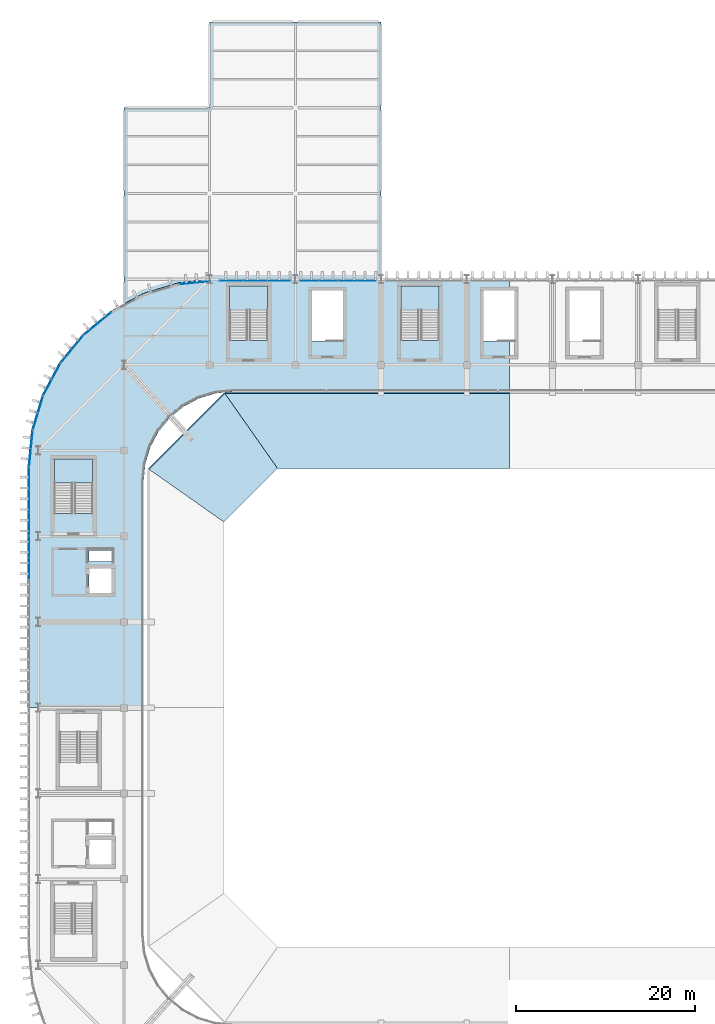
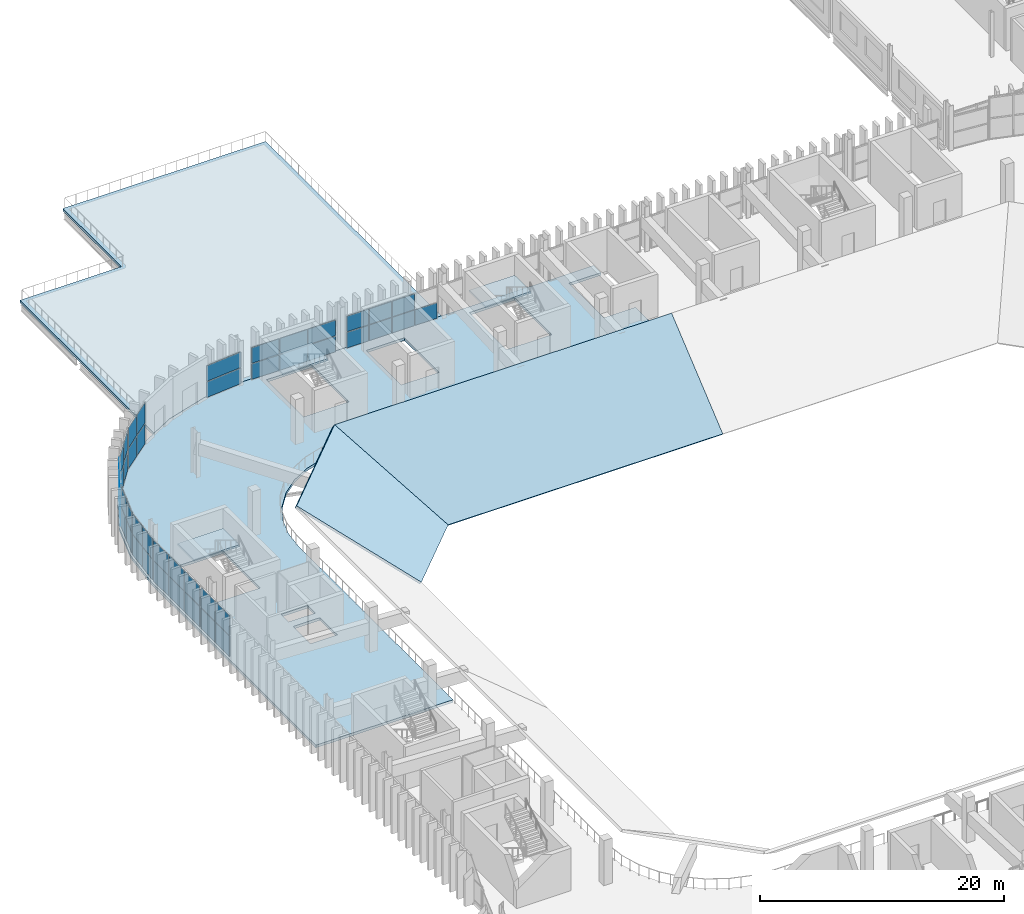
# One storey, part 38 of 69: 45 plates, 7 slabs, 13 elements without a shape of their own.
"""IFC4 building model written with IfcOpenShell, lengths in metres."""

from ifc_helpers import new_model, si_unit, direction, frame, origin, origin_2d, place, context, subcontext, project, spatial, polyline, rectangle, outline, extrude, material, layer, layer_set, type_object, element, aggregate, save


model = new_model("IFC4")

# Units and contexts
model_context = context("Model", 3, precision=1e-05, world=origin(), true_north=direction((0.0, 1.0)))
body_context = subcontext(model_context, "Body", "Model", "MODEL_VIEW")
ifc_project = project(units=[si_unit("LENGTHUNIT", "METRE"), si_unit("AREAUNIT", "SQUARE_METRE"), si_unit("VOLUMEUNIT", "CUBIC_METRE"), si_unit("PLANEANGLEUNIT", "RADIAN"), si_unit("MASSUNIT", "GRAM", prefix="KILO")], contexts=[model_context])

# Site, building, storey
site_placement = place(None, origin())
site = spatial("IfcSite", under=ifc_project, at=site_placement, CompositionType="ELEMENT")
building_placement = place(site_placement, origin())
building = spatial("IfcBuilding", under=site, at=building_placement, Name="Caelomonte Colonnade Arena", CompositionType="ELEMENT")
storey_placement = place(building_placement, frame((0.0, 0.0, 18.60009765625)))
storey = spatial("IfcBuildingStorey", under=building, at=storey_placement, Name="L04", CompositionType="ELEMENT", Elevation=18.60009765625)

# Curtain wall, plates
ifc_material_1 = material(Name="Bronze anodised aluminium and low-E glazing", Category="aluminium")
ifc_layer_1 = layer(ifc_material_1, 0.179931640625)
ifc_layer_set_1 = layer_set([ifc_layer_1], Name="Bronze anodised aluminium and low-E glazing")
curtain_wall_type_1 = type_object("IfcCurtainWallType", Name="ENV-CW-CW-L04-96-33", PredefinedType="USERDEFINED", material=ifc_layer_set_1)
curtain_wall_1_placement = place(storey_placement, origin())
curtain_wall_1 = element("IfcCurtainWall", 1, at=curtain_wall_1_placement, inside=storey, type_object=curtain_wall_type_1, Name="L04 unitized curtain wall CW-L04-0912-1150", ObjectType="UNITIZED CURTAIN WALL", PredefinedType="USERDEFINED")
ifc_material_2 = material(Name="Solar-control bronze low-E double glazing", Category="glass")
ifc_layer_2 = layer(ifc_material_2, 0.035888671875)
ifc_layer_set_2 = layer_set([ifc_layer_2], Name="Solar-control bronze low-E double glazing")
plate_type = type_object("IfcPlateType", Name="ENV-CW-PAN36", PredefinedType="CURTAIN_PANEL", material=ifc_layer_set_2)
plate_1_placement = place(storey_placement, frame((94.419921875, 115.02001953125, 0.06982421875), z_axis=(0.0, 0.0, 1.0), x_axis=(-1.0, 0.0, 0.0)))
plate_1 = element("IfcPlate", 2, at=plate_1_placement, type_object=plate_type, Name="CW-L04-96-33 panel 1.1", PredefinedType="CURTAIN_PANEL", context=body_context, shape_type="SweptSolid", body=[
    extrude(rectangle(XDim=2.05322265625, YDim=0.035888671875, at=origin_2d()), origin(), (0.0, 0.0, 1.0), 1.551513671875),
])
plate_2_placement = place(storey_placement, frame((92.279052734375, 115.02001953125, 0.06982421875), z_axis=(0.0, 0.0, 1.0), x_axis=(-1.0, 0.0, 0.0)))
plate_2 = element("IfcPlate", 3, at=plate_2_placement, type_object=plate_type, Name="CW-L04-96-33 panel 2.1", PredefinedType="CURTAIN_PANEL", context=body_context, shape_type="SweptSolid", body=[
    extrude(rectangle(XDim=2.088134765625, YDim=0.035888671875, at=origin_2d()), origin(), (0.0, 0.0, 1.0), 1.551513671875),
])
plate_3_placement = place(storey_placement, frame((92.279052734375, 115.02001953125, 1.69140625), z_axis=(0.0, 0.0, 1.0), x_axis=(-1.0, 0.0, 0.0)))
plate_3 = element("IfcPlate", 4, at=plate_3_placement, type_object=plate_type, Name="CW-L04-96-33 panel 2.2", PredefinedType="CURTAIN_PANEL", context=body_context, shape_type="SweptSolid", body=[
    extrude(rectangle(XDim=2.088134765625, YDim=0.035888671875, at=origin_2d()), origin(), (0.0, 0.0, 1.0), 1.551513671875),
])
plate_4_placement = place(storey_placement, frame((90.120849609375, 115.02001953125, 0.06982421875), z_axis=(0.0, 0.0, 1.0), x_axis=(-1.0, 0.0, 0.0)))
plate_4 = element("IfcPlate", 5, at=plate_4_placement, type_object=plate_type, Name="CW-L04-96-33 panel 3.1", PredefinedType="CURTAIN_PANEL", context=body_context, shape_type="SweptSolid", body=[
    extrude(rectangle(XDim=2.088134765625, YDim=0.035888671875, at=origin_2d()), origin(), (0.0, 0.0, 1.0), 1.551513671875),
])
plate_5_placement = place(storey_placement, frame((90.120849609375, 115.02001953125, 1.69140625), z_axis=(0.0, 0.0, 1.0), x_axis=(-1.0, 0.0, 0.0)))
plate_5 = element("IfcPlate", 6, at=plate_5_placement, type_object=plate_type, Name="CW-L04-96-33 panel 3.2", PredefinedType="CURTAIN_PANEL", context=body_context, shape_type="SweptSolid", body=[
    extrude(rectangle(XDim=2.088134765625, YDim=0.035888671875, at=origin_2d()), origin(), (0.0, 0.0, 1.0), 1.551513671875),
])
plate_6_placement = place(storey_placement, frame((87.980224609375, 115.02001953125, 0.06982421875), z_axis=(0.0, 0.0, 1.0), x_axis=(-1.0, 0.0, 0.0)))
plate_6 = element("IfcPlate", 7, at=plate_6_placement, type_object=plate_type, Name="CW-L04-96-33 panel 4.1", PredefinedType="CURTAIN_PANEL", context=body_context, shape_type="SweptSolid", body=[
    extrude(rectangle(XDim=2.05322265625, YDim=0.035888671875, at=origin_2d()), origin(), (0.0, 0.0, 1.0), 1.551513671875),
])
plate_7_placement = place(storey_placement, frame((87.980224609375, 115.02001953125, 1.69140625), z_axis=(0.0, 0.0, 1.0), x_axis=(-1.0, 0.0, 0.0)))
plate_7 = element("IfcPlate", 8, at=plate_7_placement, type_object=plate_type, Name="CW-L04-96-33 panel 4.2", PredefinedType="CURTAIN_PANEL", context=body_context, shape_type="SweptSolid", body=[
    extrude(rectangle(XDim=2.05322265625, YDim=0.035888671875, at=origin_2d()), origin(), (0.0, 0.0, 1.0), 1.551513671875),
])
aggregate(curtain_wall_1, [plate_1, plate_2, plate_3, plate_4, plate_5, plate_6, plate_7])

ifc_layer_3 = layer(ifc_material_1, 0.179931640625)
ifc_layer_set_3 = layer_set([ifc_layer_3], Name="Bronze anodised aluminium and low-E glazing")
curtain_wall_type_2 = type_object("IfcCurtainWallType", Name="ENV-CW-CW-L04-90-33", PredefinedType="USERDEFINED", material=ifc_layer_set_3)
curtain_wall_2_placement = place(storey_placement, origin())
curtain_wall_2 = element("IfcCurtainWall", 9, at=curtain_wall_2_placement, inside=storey, type_object=curtain_wall_type_2, Name="L04 unitized curtain wall CW-L04-0819-1150", ObjectType="UNITIZED CURTAIN WALL", PredefinedType="USERDEFINED")
plate_8_placement = place(storey_placement, frame((84.56005859375, 115.02001953125, 0.06982421875), z_axis=(0.0, 0.0, 1.0), x_axis=(-1.0, 0.0, 0.0)))
plate_8 = element("IfcPlate", 10, at=plate_8_placement, type_object=plate_type, Name="CW-L04-90-33 panel 1.1", PredefinedType="CURTAIN_PANEL", context=body_context, shape_type="SweptSolid", body=[
    extrude(rectangle(XDim=2.57275390625, YDim=0.035888671875, at=origin_2d()), origin(), (0.0, 0.0, 1.0), 1.551513671875),
])
plate_9_placement = place(storey_placement, frame((84.56005859375, 115.02001953125, 1.69140625), z_axis=(0.0, 0.0, 1.0), x_axis=(-1.0, 0.0, 0.0)))
plate_9 = element("IfcPlate", 11, at=plate_9_placement, type_object=plate_type, Name="CW-L04-90-33 panel 1.2", PredefinedType="CURTAIN_PANEL", context=body_context, shape_type="SweptSolid", body=[
    extrude(rectangle(XDim=2.57275390625, YDim=0.035888671875, at=origin_2d()), origin(), (0.0, 0.0, 1.0), 1.551513671875),
])
plate_10_placement = place(storey_placement, frame((81.89990234375, 115.02001953125, 0.06982421875), z_axis=(0.0, 0.0, 1.0), x_axis=(-1.0, 0.0, 0.0)))
plate_10 = element("IfcPlate", 12, at=plate_10_placement, type_object=plate_type, Name="CW-L04-90-33 panel 2.1", PredefinedType="CURTAIN_PANEL", context=body_context, shape_type="SweptSolid", body=[
    extrude(rectangle(XDim=2.607666015625, YDim=0.035888671875, at=origin_2d()), origin(), (0.0, 0.0, 1.0), 1.551513671875),
])
plate_11_placement = place(storey_placement, frame((81.89990234375, 115.02001953125, 1.69140625), z_axis=(0.0, 0.0, 1.0), x_axis=(-1.0, 0.0, 0.0)))
plate_11 = element("IfcPlate", 13, at=plate_11_placement, type_object=plate_type, Name="CW-L04-90-33 panel 2.2", PredefinedType="CURTAIN_PANEL", context=body_context, shape_type="SweptSolid", body=[
    extrude(rectangle(XDim=2.607666015625, YDim=0.035888671875, at=origin_2d()), origin(), (0.0, 0.0, 1.0), 1.551513671875),
])
plate_12_placement = place(storey_placement, frame((79.23974609375, 115.02001953125, 0.06982421875), z_axis=(0.0, 0.0, 1.0), x_axis=(-1.0, 0.0, 0.0)))
plate_12 = element("IfcPlate", 14, at=plate_12_placement, type_object=plate_type, Name="CW-L04-90-33 panel 3.1", PredefinedType="CURTAIN_PANEL", context=body_context, shape_type="SweptSolid", body=[
    extrude(rectangle(XDim=2.57275390625, YDim=0.035888671875, at=origin_2d()), origin(), (0.0, 0.0, 1.0), 1.551513671875),
])
plate_13_placement = place(storey_placement, frame((79.23974609375, 115.02001953125, 1.69140625), z_axis=(0.0, 0.0, 1.0), x_axis=(-1.0, 0.0, 0.0)))
plate_13 = element("IfcPlate", 15, at=plate_13_placement, type_object=plate_type, Name="CW-L04-90-33 panel 3.2", PredefinedType="CURTAIN_PANEL", context=body_context, shape_type="SweptSolid", body=[
    extrude(rectangle(XDim=2.57275390625, YDim=0.035888671875, at=origin_2d()), origin(), (0.0, 0.0, 1.0), 1.551513671875),
])
aggregate(curtain_wall_2, [plate_8, plate_9, plate_10, plate_11, plate_12, plate_13])

ifc_layer_4 = layer(ifc_material_1, 0.179931640625)
ifc_layer_set_4 = layer_set([ifc_layer_4], Name="Bronze anodised aluminium and low-E glazing")
curtain_wall_type_3 = type_object("IfcCurtainWallType", Name="ENV-CW-CW-L04-42-33", PredefinedType="USERDEFINED", material=ifc_layer_set_4)
curtain_wall_3_placement = place(storey_placement, origin())
curtain_wall_3 = element("IfcCurtainWall", 16, at=curtain_wall_3_placement, inside=storey, type_object=curtain_wall_type_3, Name="L04 unitized curtain wall CW-L04-0753-1148", ObjectType="UNITIZED CURTAIN WALL", PredefinedType="USERDEFINED")
plate_14_placement = place(storey_placement, frame((75.1484375, 114.79736328125, 0.06982421875), z_axis=(0.0, 0.0, 1.0), x_axis=(-0.995184334909, -0.098021117887, 0.0)))
plate_14 = element("IfcPlate", 17, at=plate_14_placement, type_object=plate_type, Name="CW-L04-42-33 panel 1.1", PredefinedType="CURTAIN_PANEL", context=body_context, shape_type="SweptSolid", body=[
    extrude(rectangle(XDim=3.453125, YDim=0.035888671875, at=origin_2d()), origin(), (0.0, 0.0, 1.0), 1.551513671875),
])
plate_15_placement = place(storey_placement, frame((75.1484375, 114.79736328125, 1.69140625), z_axis=(0.0, 0.0, 1.0), x_axis=(-0.995184334909, -0.098021117887, 0.0)))
plate_15 = element("IfcPlate", 18, at=plate_15_placement, type_object=plate_type, Name="CW-L04-42-33 panel 1.2", PredefinedType="CURTAIN_PANEL", context=body_context, shape_type="SweptSolid", body=[
    extrude(rectangle(XDim=3.453125, YDim=0.035888671875, at=origin_2d()), origin(), (0.0, 0.0, 1.0), 1.551513671875),
])
aggregate(curtain_wall_3, [plate_14, plate_15])

ifc_layer_5 = layer(ifc_material_1, 0.179931640625)
ifc_layer_set_5 = layer_set([ifc_layer_5], Name="Bronze anodised aluminium and low-E glazing")
curtain_wall_type_4 = type_object("IfcCurtainWallType", Name="ENV-CW-CW-L04-44-42", PredefinedType="USERDEFINED", material=ifc_layer_set_5)
curtain_wall_4_placement = place(storey_placement, origin())
curtain_wall_4 = element("IfcCurtainWall", 19, at=curtain_wall_4_placement, inside=storey, type_object=curtain_wall_type_4, Name="L04 unitized curtain wall CW-L04-0643-1102", ObjectType="UNITIZED CURTAIN WALL", PredefinedType="USERDEFINED")
plate_16_placement = place(storey_placement, frame((65.022705078125, 110.844970703125, 0.06982421875), z_axis=(0.0, 0.0, 1.0), x_axis=(-0.772991751994, -0.634416071163, 0.0)))
plate_16 = element("IfcPlate", 20, at=plate_16_placement, type_object=plate_type, Name="CW-L04-44-42 panel 1.1", PredefinedType="CURTAIN_PANEL", context=body_context, shape_type="SweptSolid", body=[
    extrude(rectangle(XDim=1.913330078125, YDim=0.035888671875, at=origin_2d()), origin(), (0.0, 0.0, 1.0), 2.014892578125),
])
plate_17_placement = place(storey_placement, frame((65.022705078125, 110.844970703125, 2.15478515625), z_axis=(0.0, 0.0, 1.0), x_axis=(-0.772991751994, -0.634416071163, 0.0)))
plate_17 = element("IfcPlate", 21, at=plate_17_placement, type_object=plate_type, Name="CW-L04-44-42 panel 1.2", PredefinedType="CURTAIN_PANEL", context=body_context, shape_type="SweptSolid", body=[
    extrude(rectangle(XDim=1.913330078125, YDim=0.035888671875, at=origin_2d()), origin(), (0.0, 0.0, 1.0), 2.014892578125),
])
plate_18_placement = place(storey_placement, frame((63.489501953125, 109.586669921875, 0.06982421875), z_axis=(0.0, 0.0, 1.0), x_axis=(-0.772991751994, -0.634416071163, 0.0)))
plate_18 = element("IfcPlate", 22, at=plate_18_placement, type_object=plate_type, Name="CW-L04-44-42 panel 2.1", PredefinedType="CURTAIN_PANEL", context=body_context, shape_type="SweptSolid", body=[
    extrude(rectangle(XDim=1.913330078125, YDim=0.035888671875, at=origin_2d()), origin(), (0.0, 0.0, 1.0), 2.014892578125),
])
plate_19_placement = place(storey_placement, frame((63.489501953125, 109.586669921875, 2.15478515625), z_axis=(0.0, 0.0, 1.0), x_axis=(-0.772991751994, -0.634416071163, 0.0)))
plate_19 = element("IfcPlate", 23, at=plate_19_placement, type_object=plate_type, Name="CW-L04-44-42 panel 2.2", PredefinedType="CURTAIN_PANEL", context=body_context, shape_type="SweptSolid", body=[
    extrude(rectangle(XDim=1.913330078125, YDim=0.035888671875, at=origin_2d()), origin(), (0.0, 0.0, 1.0), 2.014892578125),
])
aggregate(curtain_wall_4, [plate_16, plate_17, plate_18, plate_19])

curtain_wall_5_placement = place(storey_placement, origin())
curtain_wall_5 = element("IfcCurtainWall", 24, at=curtain_wall_5_placement, inside=storey, type_object=curtain_wall_type_4, Name="L04 unitized curtain wall CW-L04-0614-1073", ObjectType="UNITIZED CURTAIN WALL", PredefinedType="USERDEFINED")
plate_20_placement = place(storey_placement, frame((62.01318359375, 108.1103515625, 0.06982421875), z_axis=(0.0, 0.0, 1.0), x_axis=(-0.634416071163, -0.772991751994, 0.0)))
plate_20 = element("IfcPlate", 25, at=plate_20_placement, type_object=plate_type, Name="CW-L04-44-42 panel 1.1", PredefinedType="CURTAIN_PANEL", context=body_context, shape_type="SweptSolid", body=[
    extrude(rectangle(XDim=1.913330078125, YDim=0.035888671875, at=origin_2d()), origin(), (0.0, 0.0, 1.0), 2.014892578125),
])
plate_21_placement = place(storey_placement, frame((62.01318359375, 108.1103515625, 2.15478515625), z_axis=(0.0, 0.0, 1.0), x_axis=(-0.634416071163, -0.772991751994, 0.0)))
plate_21 = element("IfcPlate", 26, at=plate_21_placement, type_object=plate_type, Name="CW-L04-44-42 panel 1.2", PredefinedType="CURTAIN_PANEL", context=body_context, shape_type="SweptSolid", body=[
    extrude(rectangle(XDim=1.913330078125, YDim=0.035888671875, at=origin_2d()), origin(), (0.0, 0.0, 1.0), 2.014892578125),
])
plate_22_placement = place(storey_placement, frame((60.7548828125, 106.577392578125, 0.06982421875), z_axis=(0.0, 0.0, 1.0), x_axis=(-0.634416071163, -0.772991751994, 0.0)))
plate_22 = element("IfcPlate", 27, at=plate_22_placement, type_object=plate_type, Name="CW-L04-44-42 panel 2.1", PredefinedType="CURTAIN_PANEL", context=body_context, shape_type="SweptSolid", body=[
    extrude(rectangle(XDim=1.913330078125, YDim=0.035888671875, at=origin_2d()), origin(), (0.0, 0.0, 1.0), 2.014892578125),
])
plate_23_placement = place(storey_placement, frame((60.7548828125, 106.577392578125, 2.15478515625), z_axis=(0.0, 0.0, 1.0), x_axis=(-0.634416071163, -0.772991751994, 0.0)))
plate_23 = element("IfcPlate", 28, at=plate_23_placement, type_object=plate_type, Name="CW-L04-44-42 panel 2.2", PredefinedType="CURTAIN_PANEL", context=body_context, shape_type="SweptSolid", body=[
    extrude(rectangle(XDim=1.913330078125, YDim=0.035888671875, at=origin_2d()), origin(), (0.0, 0.0, 1.0), 2.014892578125),
])
aggregate(curtain_wall_5, [plate_20, plate_21, plate_22, plate_23])

curtain_wall_6_placement = place(storey_placement, origin())
curtain_wall_6 = element("IfcCurtainWall", 29, at=curtain_wall_6_placement, inside=storey, type_object=curtain_wall_type_4, Name="L04 unitized curtain wall CW-L04-0591-1040", ObjectType="UNITIZED CURTAIN WALL", PredefinedType="USERDEFINED")
plate_24_placement = place(storey_placement, frame((59.594970703125, 104.841552734375, 0.06982421875), z_axis=(0.0, 0.0, 1.0), x_axis=(-0.471394212466, -0.881922613642, 0.0)))
plate_24 = element("IfcPlate", 30, at=plate_24_placement, type_object=plate_type, Name="CW-L04-44-42 panel 1.1", PredefinedType="CURTAIN_PANEL", context=body_context, shape_type="SweptSolid", body=[
    extrude(rectangle(XDim=1.913330078125, YDim=0.035888671875, at=origin_2d()), origin(), (0.0, 0.0, 1.0), 2.014892578125),
])
plate_25_placement = place(storey_placement, frame((59.594970703125, 104.841552734375, 2.15478515625), z_axis=(0.0, 0.0, 1.0), x_axis=(-0.471394212466, -0.881922613642, 0.0)))
plate_25 = element("IfcPlate", 31, at=plate_25_placement, type_object=plate_type, Name="CW-L04-44-42 panel 1.2", PredefinedType="CURTAIN_PANEL", context=body_context, shape_type="SweptSolid", body=[
    extrude(rectangle(XDim=1.913330078125, YDim=0.035888671875, at=origin_2d()), origin(), (0.0, 0.0, 1.0), 2.014892578125),
])
plate_26_placement = place(storey_placement, frame((58.66015625, 103.09228515625, 0.06982421875), z_axis=(0.0, 0.0, 1.0), x_axis=(-0.471394212466, -0.881922613642, 0.0)))
plate_26 = element("IfcPlate", 32, at=plate_26_placement, type_object=plate_type, Name="CW-L04-44-42 panel 2.1", PredefinedType="CURTAIN_PANEL", context=body_context, shape_type="SweptSolid", body=[
    extrude(rectangle(XDim=1.913330078125, YDim=0.035888671875, at=origin_2d()), origin(), (0.0, 0.0, 1.0), 2.014892578125),
])
plate_27_placement = place(storey_placement, frame((58.66015625, 103.09228515625, 2.15478515625), z_axis=(0.0, 0.0, 1.0), x_axis=(-0.471394212466, -0.881922613642, 0.0)))
plate_27 = element("IfcPlate", 33, at=plate_27_placement, type_object=plate_type, Name="CW-L04-44-42 panel 2.2", PredefinedType="CURTAIN_PANEL", context=body_context, shape_type="SweptSolid", body=[
    extrude(rectangle(XDim=1.913330078125, YDim=0.035888671875, at=origin_2d()), origin(), (0.0, 0.0, 1.0), 2.014892578125),
])
aggregate(curtain_wall_6, [plate_24, plate_25, plate_26, plate_27])

curtain_wall_7_placement = place(storey_placement, origin())
curtain_wall_7 = element("IfcCurtainWall", 34, at=curtain_wall_7_placement, inside=storey, type_object=curtain_wall_type_4, Name="L04 unitized curtain wall CW-L04-0576-1002", ObjectType="UNITIZED CURTAIN WALL", PredefinedType="USERDEFINED")
plate_28_placement = place(storey_placement, frame((57.861083984375, 101.163330078125, 0.06982421875), z_axis=(0.0, 0.0, 1.0), x_axis=(-0.290255582655, -0.956949160999, 0.0)))
plate_28 = element("IfcPlate", 35, at=plate_28_placement, type_object=plate_type, Name="CW-L04-44-42 panel 1.1", PredefinedType="CURTAIN_PANEL", context=body_context, shape_type="SweptSolid", body=[
    extrude(rectangle(XDim=1.913330078125, YDim=0.035888671875, at=origin_2d()), origin(), (0.0, 0.0, 1.0), 2.014892578125),
])
plate_29_placement = place(storey_placement, frame((57.861083984375, 101.163330078125, 2.15478515625), z_axis=(0.0, 0.0, 1.0), x_axis=(-0.290255582655, -0.956949160999, 0.0)))
plate_29 = element("IfcPlate", 36, at=plate_29_placement, type_object=plate_type, Name="CW-L04-44-42 panel 1.2", PredefinedType="CURTAIN_PANEL", context=body_context, shape_type="SweptSolid", body=[
    extrude(rectangle(XDim=1.913330078125, YDim=0.035888671875, at=origin_2d()), origin(), (0.0, 0.0, 1.0), 2.014892578125),
])
plate_30_placement = place(storey_placement, frame((57.285400390625, 99.265380859375, 0.06982421875), z_axis=(0.0, 0.0, 1.0), x_axis=(-0.290255582655, -0.956949160999, 0.0)))
plate_30 = element("IfcPlate", 37, at=plate_30_placement, type_object=plate_type, Name="CW-L04-44-42 panel 2.1", PredefinedType="CURTAIN_PANEL", context=body_context, shape_type="SweptSolid", body=[
    extrude(rectangle(XDim=1.913330078125, YDim=0.035888671875, at=origin_2d()), origin(), (0.0, 0.0, 1.0), 2.014892578125),
])
plate_31_placement = place(storey_placement, frame((57.285400390625, 99.265380859375, 2.15478515625), z_axis=(0.0, 0.0, 1.0), x_axis=(-0.290255582655, -0.956949160999, 0.0)))
plate_31 = element("IfcPlate", 38, at=plate_31_placement, type_object=plate_type, Name="CW-L04-44-42 panel 2.2", PredefinedType="CURTAIN_PANEL", context=body_context, shape_type="SweptSolid", body=[
    extrude(rectangle(XDim=1.913330078125, YDim=0.035888671875, at=origin_2d()), origin(), (0.0, 0.0, 1.0), 2.014892578125),
])
aggregate(curtain_wall_7, [plate_28, plate_29, plate_30, plate_31])

curtain_wall_8_placement = place(storey_placement, origin())
curtain_wall_8 = element("IfcCurtainWall", 39, at=curtain_wall_8_placement, inside=storey, type_object=curtain_wall_type_4, Name="L04 unitized curtain wall CW-L04-0568-0962", ObjectType="UNITIZED CURTAIN WALL", PredefinedType="USERDEFINED")
plate_32_placement = place(storey_placement, frame((56.878173828125, 97.2177734375, 0.06982421875), z_axis=(0.0, 0.0, 1.0), x_axis=(-0.098002498041, -0.995186168703, 0.0)))
plate_32 = element("IfcPlate", 40, at=plate_32_placement, type_object=plate_type, Name="CW-L04-44-42 panel 1.1", PredefinedType="CURTAIN_PANEL", context=body_context, shape_type="SweptSolid", body=[
    extrude(rectangle(XDim=1.913330078125, YDim=0.035888671875, at=origin_2d()), origin(), (0.0, 0.0, 1.0), 2.014892578125),
])
plate_33_placement = place(storey_placement, frame((56.878173828125, 97.2177734375, 2.15478515625), z_axis=(0.0, 0.0, 1.0), x_axis=(-0.098002498041, -0.995186168703, 0.0)))
plate_33 = element("IfcPlate", 41, at=plate_33_placement, type_object=plate_type, Name="CW-L04-44-42 panel 1.2", PredefinedType="CURTAIN_PANEL", context=body_context, shape_type="SweptSolid", body=[
    extrude(rectangle(XDim=1.913330078125, YDim=0.035888671875, at=origin_2d()), origin(), (0.0, 0.0, 1.0), 2.014892578125),
])
plate_34_placement = place(storey_placement, frame((56.68359375, 95.243896484375, 0.06982421875), z_axis=(0.0, 0.0, 1.0), x_axis=(-0.098002498041, -0.995186168703, 0.0)))
plate_34 = element("IfcPlate", 42, at=plate_34_placement, type_object=plate_type, Name="CW-L04-44-42 panel 2.1", PredefinedType="CURTAIN_PANEL", context=body_context, shape_type="SweptSolid", body=[
    extrude(rectangle(XDim=1.913330078125, YDim=0.035888671875, at=origin_2d()), origin(), (0.0, 0.0, 1.0), 2.014892578125),
])
plate_35_placement = place(storey_placement, frame((56.68359375, 95.243896484375, 2.15478515625), z_axis=(0.0, 0.0, 1.0), x_axis=(-0.098002498041, -0.995186168703, 0.0)))
plate_35 = element("IfcPlate", 43, at=plate_35_placement, type_object=plate_type, Name="CW-L04-44-42 panel 2.2", PredefinedType="CURTAIN_PANEL", context=body_context, shape_type="SweptSolid", body=[
    extrude(rectangle(XDim=1.913330078125, YDim=0.035888671875, at=origin_2d()), origin(), (0.0, 0.0, 1.0), 2.014892578125),
])
aggregate(curtain_wall_8, [plate_32, plate_33, plate_34, plate_35])

ifc_layer_6 = layer(ifc_material_1, 0.179931640625)
ifc_layer_set_6 = layer_set([ifc_layer_6], Name="Bronze anodised aluminium and low-E glazing")
curtain_wall_type_5 = type_object("IfcCurtainWallType", Name="ENV-CW-CW-L04-79-42", PredefinedType="USERDEFINED", material=ifc_layer_set_6)
curtain_wall_9_placement = place(storey_placement, origin())
curtain_wall_9 = element("IfcCurtainWall", 44, at=curtain_wall_9_placement, inside=storey, type_object=curtain_wall_type_5, Name="L04 unitized curtain wall CW-L04-0566-0904", ObjectType="UNITIZED CURTAIN WALL", PredefinedType="USERDEFINED")
plate_36_placement = place(storey_placement, frame((56.580078125, 92.855712890625, 0.06982421875), z_axis=(0.0, 0.0, 1.0), x_axis=(0.0, -1.0, 0.0)))
plate_36 = element("IfcPlate", 45, at=plate_36_placement, type_object=plate_type, Name="CW-L04-79-42 panel 1.1", PredefinedType="CURTAIN_PANEL", context=body_context, shape_type="SweptSolid", body=[
    extrude(rectangle(XDim=2.46826171875, YDim=0.035888671875, at=origin_2d()), origin(), (0.0, 0.0, 1.0), 2.014892578125),
])
plate_37_placement = place(storey_placement, frame((56.580078125, 92.855712890625, 2.15478515625), z_axis=(0.0, 0.0, 1.0), x_axis=(0.0, -1.0, 0.0)))
plate_37 = element("IfcPlate", 46, at=plate_37_placement, type_object=plate_type, Name="CW-L04-79-42 panel 1.2", PredefinedType="CURTAIN_PANEL", context=body_context, shape_type="SweptSolid", body=[
    extrude(rectangle(XDim=2.46826171875, YDim=0.035888671875, at=origin_2d()), origin(), (0.0, 0.0, 1.0), 2.014892578125),
])
plate_38_placement = place(storey_placement, frame((56.580078125, 90.300048828125, 0.06982421875), z_axis=(0.0, 0.0, 1.0), x_axis=(0.0, -1.0, 0.0)))
plate_38 = element("IfcPlate", 47, at=plate_38_placement, type_object=plate_type, Name="CW-L04-79-42 panel 2.1", PredefinedType="CURTAIN_PANEL", context=body_context, shape_type="SweptSolid", body=[
    extrude(rectangle(XDim=2.50341796875, YDim=0.035888671875, at=origin_2d()), origin(), (0.0, 0.0, 1.0), 2.014892578125),
])
plate_39_placement = place(storey_placement, frame((56.580078125, 90.300048828125, 2.15478515625), z_axis=(0.0, 0.0, 1.0), x_axis=(0.0, -1.0, 0.0)))
plate_39 = element("IfcPlate", 48, at=plate_39_placement, type_object=plate_type, Name="CW-L04-79-42 panel 2.2", PredefinedType="CURTAIN_PANEL", context=body_context, shape_type="SweptSolid", body=[
    extrude(rectangle(XDim=2.50341796875, YDim=0.035888671875, at=origin_2d()), origin(), (0.0, 0.0, 1.0), 2.014892578125),
])
plate_40_placement = place(storey_placement, frame((56.580078125, 87.744140625, 0.06982421875), z_axis=(0.0, 0.0, 1.0), x_axis=(0.0, -1.0, 0.0)))
plate_40 = element("IfcPlate", 49, at=plate_40_placement, type_object=plate_type, Name="CW-L04-79-42 panel 3.1", PredefinedType="CURTAIN_PANEL", context=body_context, shape_type="SweptSolid", body=[
    extrude(rectangle(XDim=2.46826171875, YDim=0.035888671875, at=origin_2d()), origin(), (0.0, 0.0, 1.0), 2.014892578125),
])
plate_41_placement = place(storey_placement, frame((56.580078125, 87.744140625, 2.15478515625), z_axis=(0.0, 0.0, 1.0), x_axis=(0.0, -1.0, 0.0)))
plate_41 = element("IfcPlate", 50, at=plate_41_placement, type_object=plate_type, Name="CW-L04-79-42 panel 3.2", PredefinedType="CURTAIN_PANEL", context=body_context, shape_type="SweptSolid", body=[
    extrude(rectangle(XDim=2.46826171875, YDim=0.035888671875, at=origin_2d()), origin(), (0.0, 0.0, 1.0), 2.014892578125),
])
aggregate(curtain_wall_9, [plate_36, plate_37, plate_38, plate_39, plate_40, plate_41])

ifc_layer_7 = layer(ifc_material_1, 0.179931640625)
ifc_layer_set_7 = layer_set([ifc_layer_7], Name="Bronze anodised aluminium and low-E glazing")
curtain_wall_type_6 = type_object("IfcCurtainWallType", Name="ENV-CW-CW-L04-96-42", PredefinedType="USERDEFINED", material=ifc_layer_set_7)
curtain_wall_10_placement = place(storey_placement, origin())
curtain_wall_10 = element("IfcCurtainWall", 51, at=curtain_wall_10_placement, inside=storey, type_object=curtain_wall_type_6, Name="L04 unitized curtain wall CW-L04-0566-0816", ObjectType="UNITIZED CURTAIN WALL", PredefinedType="USERDEFINED")
plate_42_placement = place(storey_placement, frame((56.580078125, 85.152587890625, 0.06982421875), z_axis=(0.0, 0.0, 1.0), x_axis=(0.0, -1.0, 0.0)))
plate_42 = element("IfcPlate", 52, at=plate_42_placement, type_object=plate_type, Name="CW-L04-96-42 panel 1.1", PredefinedType="CURTAIN_PANEL", context=body_context, shape_type="SweptSolid", body=[
    extrude(rectangle(XDim=2.27490234375, YDim=0.035888671875, at=origin_2d()), origin(), (0.0, 0.0, 1.0), 2.014892578125),
])
plate_43_placement = place(storey_placement, frame((56.580078125, 85.152587890625, 2.15478515625), z_axis=(0.0, 0.0, 1.0), x_axis=(0.0, -1.0, 0.0)))
plate_43 = element("IfcPlate", 53, at=plate_43_placement, type_object=plate_type, Name="CW-L04-96-42 panel 1.2", PredefinedType="CURTAIN_PANEL", context=body_context, shape_type="SweptSolid", body=[
    extrude(rectangle(XDim=2.27490234375, YDim=0.035888671875, at=origin_2d()), origin(), (0.0, 0.0, 1.0), 2.014892578125),
])
plate_44_placement = place(storey_placement, frame((56.580078125, 82.7900390625, 0.06982421875), z_axis=(0.0, 0.0, 1.0), x_axis=(0.0, -1.0, 0.0)))
plate_44 = element("IfcPlate", 54, at=plate_44_placement, type_object=plate_type, Name="CW-L04-96-42 panel 2.1", PredefinedType="CURTAIN_PANEL", context=body_context, shape_type="SweptSolid", body=[
    extrude(rectangle(XDim=2.31005859375, YDim=0.035888671875, at=origin_2d()), origin(), (0.0, 0.0, 1.0), 2.014892578125),
])
plate_45_placement = place(storey_placement, frame((56.580078125, 82.7900390625, 2.15478515625), z_axis=(0.0, 0.0, 1.0), x_axis=(0.0, -1.0, 0.0)))
plate_45 = element("IfcPlate", 55, at=plate_45_placement, type_object=plate_type, Name="CW-L04-96-42 panel 2.2", PredefinedType="CURTAIN_PANEL", context=body_context, shape_type="SweptSolid", body=[
    extrude(rectangle(XDim=2.31005859375, YDim=0.035888671875, at=origin_2d()), origin(), (0.0, 0.0, 1.0), 2.014892578125),
])
aggregate(curtain_wall_10, [plate_42, plate_43, plate_44, plate_45])

# Stair, slab
ifc_material_3 = material(Name="Concrete C40/50", Category="concrete")
stair_type_1 = type_object("IfcStairType", Name="INT-ST-WING45", PredefinedType="HALF_TURN_STAIR", material=ifc_material_3)
stair_1_placement = place(storey_placement, origin())
stair_1 = element("IfcStair", 56, at=stair_1_placement, inside=storey, type_object=stair_type_1, Name="L04 Core C4 exit stair ST-04", PredefinedType="HALF_TURN_STAIR")
ifc_layer_8 = layer(ifc_material_3, 0.199951171875)
ifc_layer_set_8 = layer_set([ifc_layer_8], Name="Concrete C40/50")
slab_type_1 = type_object("IfcSlabType", Name="INT-SL-LAND20", PredefinedType="LANDING", material=ifc_layer_set_8)
slab_1_placement = place(storey_placement, frame((0.0, 0.0, 2.0498046875)))
slab_1 = element("IfcSlab", 57, at=slab_1_placement, type_object=slab_type_1, Name="ST-04 landing 1", PredefinedType="LANDING", context=body_context, shape_type="SweptSolid", body=[
    extrude(outline(polyline([(63.699951171875, 92.3701171875), (63.699951171875, 95.050048828125), (59.39990234375, 95.050048828125), (59.39990234375, 92.3701171875), (63.699951171875, 92.3701171875)])), origin(), (0.0, 0.0, 1.0), 0.2001953125),
])
aggregate(stair_1, [slab_1])

stair_type_2 = type_object("IfcStairType", Name="INT-ST-CORE45", PredefinedType="HALF_TURN_STAIR", material=ifc_material_3)
stair_2_placement = place(storey_placement, origin())
stair_2 = element("IfcStair", 58, at=stair_2_placement, inside=storey, type_object=stair_type_2, Name="L04 Protected exit stair ST-14", PredefinedType="HALF_TURN_STAIR")
slab_2_placement = place(storey_placement, frame((0.0, 0.0, 2.0498046875)))
slab_2 = element("IfcSlab", 59, at=slab_2_placement, type_object=slab_type_1, Name="ST-14 landing 1", PredefinedType="LANDING", context=body_context, shape_type="SweptSolid", body=[
    extrude(outline(polyline([(83.300048828125, 111.77001953125), (83.300048828125, 114.449951171875), (79.0, 114.449951171875), (79.0, 111.77001953125), (83.300048828125, 111.77001953125)])), origin(), (0.0, 0.0, 1.0), 0.2001953125),
])
aggregate(stair_2, [slab_2])

stair_3_placement = place(storey_placement, origin())
stair_3 = element("IfcStair", 60, at=stair_3_placement, inside=storey, type_object=stair_type_2, Name="L04 Protected exit stair ST-15", PredefinedType="HALF_TURN_STAIR")
slab_3_placement = place(storey_placement, frame((0.0, 0.0, 2.0498046875)))
slab_3 = element("IfcSlab", 61, at=slab_3_placement, type_object=slab_type_1, Name="ST-15 landing 1", PredefinedType="LANDING", context=body_context, shape_type="SweptSolid", body=[
    extrude(outline(polyline([(102.5, 111.77001953125), (102.5, 114.449951171875), (98.199951171875, 114.449951171875), (98.199951171875, 111.77001953125), (102.5, 111.77001953125)])), origin(), (0.0, 0.0, 1.0), 0.2001953125),
])
aggregate(stair_3, [slab_3])

# Slabs
ifc_layer_9 = layer(ifc_material_3, 0.260009765625)
ifc_layer_set_9 = layer_set([ifc_layer_9], Name="Concrete C40/50")
slab_type_2 = type_object("IfcSlabType", Name="STR-SL-FLR26", PredefinedType="FLOOR", material=ifc_layer_set_9)
slab_4_placement = place(storey_placement, frame((0.0, 0.0, -0.260009765625)))
element("IfcSlab", 62, at=slab_4_placement, inside=storey, type_object=slab_type_2, Name="L04 structural floor slab SL-L04-V1-NW", PredefinedType="FLOOR", context=body_context, shape_type="SweptSolid", body=[
    extrude(outline(polyline([(56.39990234375, 94.199951171875), (56.39990234375, 67.199951171875), (69.39990234375, 67.199951171875), (69.39990234375, 92.60009765625), (69.592041015625, 94.55078125), (70.1611328125, 96.4267578125), (71.085205078125, 98.15576171875), (72.328857421875, 99.671142578125), (73.84423828125, 100.914794921875), (75.5732421875, 101.8388671875), (77.44921875, 102.407958984375), (79.39990234375, 102.60009765625), (110.39990234375, 102.60009765625), (110.39990234375, 108.300048828125), (107.39990234375, 108.300048828125), (107.39990234375, 114.0), (110.39990234375, 114.0), (110.39990234375, 115.199951171875), (77.39990234375, 115.199951171875), (73.302978515625, 114.79638671875), (69.363525390625, 113.6015625), (65.73291015625, 111.660888671875), (62.55078125, 109.04931640625), (59.939208984375, 105.866943359375), (57.99853515625, 102.236328125), (56.803466796875, 98.296875), (56.39990234375, 94.199951171875)]), holes=[polyline([(63.280029296875, 79.97998046875), (63.280029296875, 82.820068359375), (65.820068359375, 82.820068359375), (65.820068359375, 79.97998046875), (63.280029296875, 79.97998046875)]), polyline([(63.280029296875, 83.580078125), (63.280029296875, 84.820068359375), (65.820068359375, 84.820068359375), (65.820068359375, 83.580078125), (63.280029296875, 83.580078125)]), polyline([(59.39990234375, 88.949951171875), (59.39990234375, 95.050048828125), (63.699951171875, 95.050048828125), (63.699951171875, 88.949951171875), (59.39990234375, 88.949951171875)]), polyline([(88.199951171875, 108.300048828125), (88.199951171875, 114.0), (91.800048828125, 114.0), (91.800048828125, 108.300048828125), (88.199951171875, 108.300048828125)]), polyline([(79.0, 108.35009765625), (79.0, 114.449951171875), (83.300048828125, 114.449951171875), (83.300048828125, 108.35009765625), (79.0, 108.35009765625)]), polyline([(98.199951171875, 108.35009765625), (98.199951171875, 114.449951171875), (102.5, 114.449951171875), (102.5, 108.35009765625), (98.199951171875, 108.35009765625)])]), origin(), (0.0, 0.0, 1.0), 0.260009765625),
])
ifc_layer_10 = layer(ifc_material_3, 0.260009765625)
ifc_layer_set_10 = layer_set([ifc_layer_10], Name="Concrete C40/50")
slab_type_3 = type_object("IfcSlabType", Name="STR-SL-TERR26", PredefinedType="ROOF", material=ifc_layer_set_10)
slab_5_placement = place(storey_placement, frame((0.0, 0.0, -0.260009765625)))
element("IfcSlab", 63, at=slab_5_placement, inside=storey, type_object=slab_type_3, Name="North-West Hospitality Terrace", PredefinedType="ROOF", context=body_context, shape_type="SweptSolid", body=[
    extrude(outline(polyline([(96.0, 115.199951171875), (96.0, 144.0), (76.800048828125, 144.0), (76.800048828125, 134.39990234375), (67.199951171875, 134.39990234375), (67.199951171875, 112.445068359375), (69.363525390625, 113.6015625), (73.302978515625, 114.79638671875), (77.39990234375, 115.199951171875), (96.0, 115.199951171875)])), origin(), (0.0, 0.0, 1.0), 0.260009765625),
])
ifc_material_4 = material(Name="Precast concrete C40/50", Category="concrete")
ifc_layer_11 = layer(ifc_material_4, 0.25)
ifc_layer_set_11 = layer_set([ifc_layer_11], Name="Precast concrete C40/50")
slab_type_4 = type_object("IfcSlabType", Name="STR-SL-TIER25", PredefinedType="USERDEFINED", material=ifc_layer_set_11)
slab_6_placement = place(storey_placement, frame((110.39990234375, 94.0, -4.0), z_axis=(0.0, -0.64018879205, 0.768217619255), x_axis=(-1.0, 0.0, 0.0)))
element("IfcSlab", 64, at=slab_6_placement, inside=storey, type_object=slab_type_4, Name="Stand UPPER bowl seating tier sector N2", ObjectType="SEATING TIER", PredefinedType="USERDEFINED", context=body_context, shape_type="SweptSolid", body=[
    extrude(outline(polyline([(0.0, 0.0), (26.0, 0.0), (31.89990234375, -10.934274524838708), (0.0, -10.934274524838708), (0.0, 0.0)])), origin(), (0.0, 0.0, -1.0), 0.25),
])
slab_7_placement = place(storey_placement, frame((84.39990234375, 94.0, -4.0), z_axis=(0.402482071006, -0.402482071006, 0.822202143659), x_axis=(-0.707106781187, -0.707106781187, 0.0)))
element("IfcSlab", 65, at=slab_7_placement, inside=storey, type_object=slab_type_4, Name="Stand UPPER bowl seating tier sector NW", ObjectType="SEATING TIER", PredefinedType="USERDEFINED", context=body_context, shape_type="SweptSolid", body=[
    extrude(outline(polyline([(0.0, 0.0), (8.485281374238571, 0.0), (10.25304832720494, -12.298057043709122), (-1.7677669529663689, -12.298057043709122), (0.0, 0.0)])), origin(), (0.0, 0.0, -1.0), 0.25),
])

save(model, "model.ifc")
